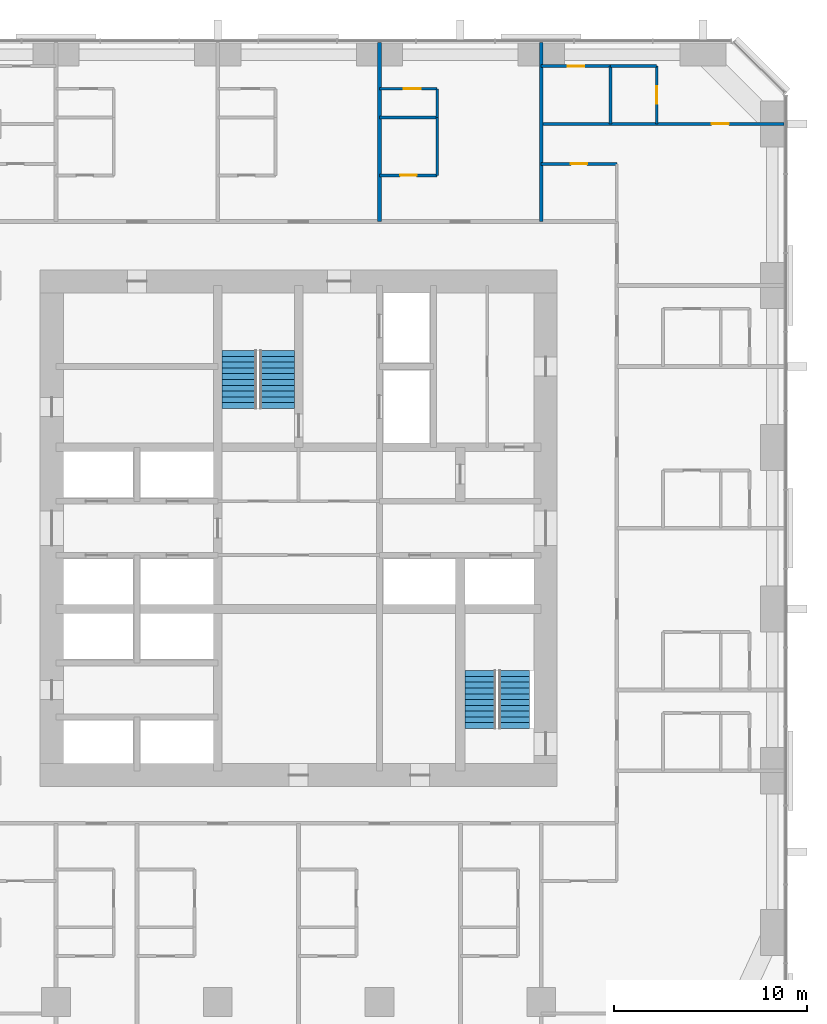
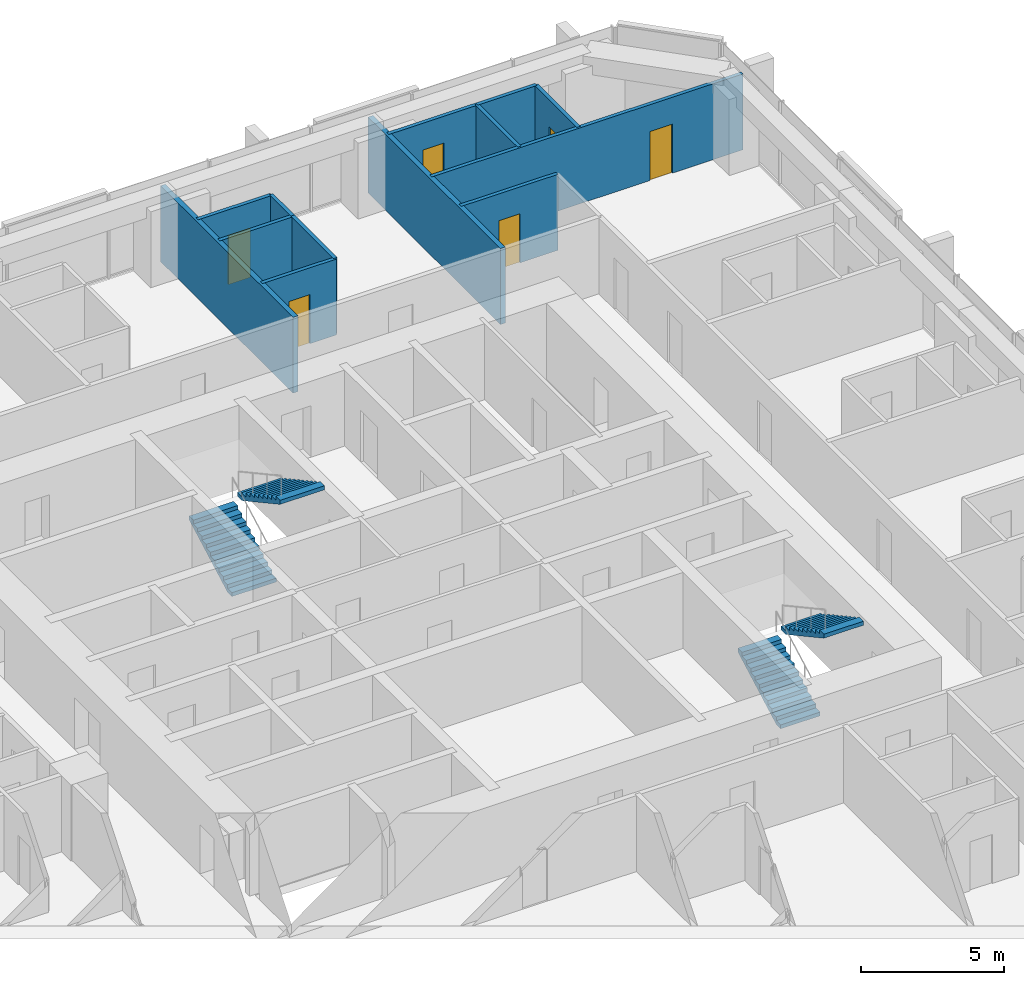
# One storey, part 13 of 14: 13 walls, 6 doors, 4 stair flights, 6 openings, 2 elements without a shape of their own.
"""IFC4 building model written with IfcOpenShell, lengths in metres."""

from ifc_helpers import new_model, si_unit, direction, frame, frame_2d, origin, place, context, subcontext, project, spatial, polyline, rectangle, outline, extrude, material, layer, layer_set, type_object, element, fill, aggregate, save


model = new_model("IFC4")

# Units and contexts
model_context = context("Model", 3, precision=1e-05, world=origin(), true_north=direction((0.0, 1.0)))
body_context = subcontext(model_context, "Body", "Model", "MODEL_VIEW")
ifc_project = project(units=[si_unit("LENGTHUNIT", "METRE"), si_unit("AREAUNIT", "SQUARE_METRE"), si_unit("VOLUMEUNIT", "CUBIC_METRE"), si_unit("PLANEANGLEUNIT", "RADIAN"), si_unit("MASSUNIT", "GRAM", prefix="KILO")], contexts=[model_context])

# Site, building, storey
site_placement = place(None, origin())
site = spatial("IfcSite", under=ifc_project, at=site_placement, CompositionType="ELEMENT")
building_placement = place(site_placement, origin())
building = spatial("IfcBuilding", under=site, at=building_placement, Name="Dunama Terrace Hotel", CompositionType="ELEMENT")
storey_placement = place(building_placement, frame((0.0, 0.0, 100.800048828125)))
storey = spatial("IfcBuildingStorey", under=building, at=storey_placement, Name="L25", CompositionType="ELEMENT", Elevation=100.800048828125)

# Wall
ifc_material_1 = material(Name="Gypsum board partition", Category="masonry")
ifc_layer_1 = layer(ifc_material_1, 0.14990234375)
ifc_layer_set_1 = layer_set([ifc_layer_1], Name="Bathroom partition 150")
wall_type_1 = type_object("IfcWallType", Name="Bathroom partition 150", PredefinedType="PARTITIONING", material=ifc_layer_set_1)
wall_1_placement = place(storey_placement, frame((36.60009765625, 47.72509765625, 0.0), z_axis=(0.0, 0.0, 1.0), x_axis=(0.0, 1.0, 0.0)))
element("IfcWall", 1, at=wall_1_placement, inside=storey, type_object=wall_type_1, Name="Bathroom partition 150 L25", PredefinedType="PARTITIONING", context=body_context, shape_type="SweptSolid", body=[
    extrude(rectangle(XDim=3.0, YDim=0.14990234375, at=frame_2d((1.5, 0.0))), origin(), (0.0, 0.0, 1.0), 3.25),
])

# Wall, opening, door
wall_2_placement = place(storey_placement, frame((33.60009765625, 47.72509765625, 0.0), z_axis=(0.0, 0.0, 1.0), x_axis=(1.0, 0.0, 0.0)))
wall_2 = element("IfcWall", 2, at=wall_2_placement, inside=storey, type_object=wall_type_1, Name="Bathroom partition 150 L25", PredefinedType="PARTITIONING", context=body_context, shape_type="SweptSolid", body=[
    extrude(rectangle(XDim=3.0, YDim=0.14990234375, at=frame_2d((1.5, 0.0))), origin(), (0.0, 0.0, 1.0), 3.25),
])
opening_1_placement = place(wall_2_placement, frame((1.074951171875, 0.0, 0.0)))
opening_1 = element("IfcOpeningElement", 3, at=opening_1_placement, cuts=wall_2, Name="Opening L25-27-042", PredefinedType="OPENING", context=body_context, shape_type="SweptSolid", body=[
    extrude(rectangle(XDim=0.85009765625, YDim=2.10009765625, at=frame_2d((0.425048828125, 1.050048828125))), frame((0.0, 0.0849609375, 0.0), z_axis=(0.0, -1.0, 0.0), x_axis=(1.0, 0.0, 0.0)), (0.0, 0.0, 1.0), 0.169921875),
])
ifc_material_2 = material(Name="Timber door with steel frame", Category="steel")
door_type_1 = type_object("IfcDoorType", Name="Bathroom door 850", OperationType="SINGLE_SWING_LEFT", PredefinedType="DOOR", material=ifc_material_2)
door_1_placement = place(opening_1_placement, origin())
door_1 = element("IfcDoor", 4, at=door_1_placement, inside=storey, type_object=door_type_1, Name="Door to en-suite bathroom L25-27-042, type D2", OperationType="SINGLE_SWING_LEFT", OverallHeight=2.10009765625, OverallWidth=0.85009765625, PredefinedType="DOOR", context=body_context, shape_type="SweptSolid", body=[
    extrude(rectangle(XDim=0.85009765625, YDim=2.10009765625, at=frame_2d((0.425048828125, 1.050048828125))), frame((0.0, 0.02490234375, 0.0), z_axis=(0.0, -1.0, 0.0), x_axis=(1.0, 0.0, 0.0)), (0.0, 0.0, 1.0), 0.050048828125),
])
fill(opening_1, door_1)

wall_3_placement = place(storey_placement, frame((42.0, 48.324951171875, 0.0), z_axis=(0.0, 0.0, 1.0), x_axis=(1.0, 0.0, 0.0)))
wall_3 = element("IfcWall", 5, at=wall_3_placement, inside=storey, type_object=wall_type_1, Name="Bathroom partition 150 L25", PredefinedType="PARTITIONING", context=body_context, shape_type="SweptSolid", body=[
    extrude(rectangle(XDim=3.925048828125, YDim=0.14990234375, at=frame_2d((1.96240234375, 0.0))), origin(), (0.0, 0.0, 1.0), 3.25),
])
opening_2_placement = place(wall_3_placement, frame((1.5380859375, 0.0, 0.0)))
opening_2 = element("IfcOpeningElement", 6, at=opening_2_placement, cuts=wall_3, Name="Opening L25-27-070", PredefinedType="OPENING", context=body_context, shape_type="SweptSolid", body=[
    extrude(rectangle(XDim=0.85009765625, YDim=2.10009765625, at=frame_2d((0.425048828125, 1.050048828125))), frame((0.0, 0.0849609375, 0.0), z_axis=(0.0, -1.0, 0.0), x_axis=(1.0, 0.0, 0.0)), (0.0, 0.0, 1.0), 0.169921875),
])
door_2_placement = place(opening_2_placement, frame((0.85009765625, 0.0, 0.0), z_axis=(0.0, 0.0, 1.0), x_axis=(-1.0, 0.0, 0.0)))
door_2 = element("IfcDoor", 7, at=door_2_placement, inside=storey, type_object=door_type_1, Name="Door to powder room L25-27-070, type D2", OperationType="SINGLE_SWING_RIGHT", OverallHeight=2.10009765625, OverallWidth=0.85009765625, PredefinedType="DOOR", context=body_context, shape_type="SweptSolid", body=[
    extrude(rectangle(XDim=0.85009765625, YDim=2.10009765625, at=frame_2d((0.425048828125, 1.050048828125))), frame((0.0, 0.025146484375, 0.0), z_axis=(0.0, -1.0, 0.0), x_axis=(1.0, 0.0, 0.0)), (0.0, 0.0, 1.0), 0.050048828125),
])
fill(opening_2, door_2)

wall_4_placement = place(storey_placement, frame((42.0, 53.39990234375, 0.0), z_axis=(0.0, 0.0, 1.0), x_axis=(1.0, 0.0, 0.0)))
wall_4 = element("IfcWall", 8, at=wall_4_placement, inside=storey, type_object=wall_type_1, Name="Bathroom partition 150 L25", PredefinedType="PARTITIONING", context=body_context, shape_type="SweptSolid", body=[
    extrude(rectangle(XDim=3.60009765625, YDim=0.14990234375, at=frame_2d((1.800048828125, 0.0))), origin(), (0.0, 0.0, 1.0), 3.25),
])
opening_3_placement = place(wall_4_placement, frame((1.375, 0.0, 0.0)))
opening_3 = element("IfcOpeningElement", 9, at=opening_3_placement, cuts=wall_4, Name="Opening L25-27-072", PredefinedType="OPENING", context=body_context, shape_type="SweptSolid", body=[
    extrude(rectangle(XDim=0.85009765625, YDim=2.10009765625, at=frame_2d((0.425048828125, 1.050048828125))), frame((0.0, 0.0849609375, 0.0), z_axis=(0.0, -1.0, 0.0), x_axis=(1.0, 0.0, 0.0)), (0.0, 0.0, 1.0), 0.169921875),
])
door_3_placement = place(opening_3_placement, frame((0.85009765625, 0.0, 0.0), z_axis=(0.0, 0.0, 1.0), x_axis=(-1.0, 0.0, 0.0)))
door_3 = element("IfcDoor", 10, at=door_3_placement, inside=storey, type_object=door_type_1, Name="Door to en-suite bathroom L25-27-072, type D2", OperationType="SINGLE_SWING_RIGHT", OverallHeight=2.10009765625, OverallWidth=0.85009765625, PredefinedType="DOOR", context=body_context, shape_type="SweptSolid", body=[
    extrude(rectangle(XDim=0.85009765625, YDim=2.10009765625, at=frame_2d((0.425048828125, 1.050048828125))), frame((0.0, 0.025146484375, 0.0), z_axis=(0.0, -1.0, 0.0), x_axis=(1.0, 0.0, 0.0)), (0.0, 0.0, 1.0), 0.050048828125),
])
fill(opening_3, door_3)

# Walls
ifc_material_3 = material(Name="Concrete blockwork", Category="masonry")
ifc_layer_2 = layer(ifc_material_3, 0.199951171875)
ifc_layer_set_2 = layer_set([ifc_layer_2], Name="Party wall 200")
wall_type_2 = type_object("IfcWallType", Name="Party wall 200", PredefinedType="PARTITIONING", material=ifc_layer_set_2)
for number, where, z_axis, x_axis, name in (
    (11, (33.60009765625, 45.324951171875, 0.0), (0.0, 0.0, 1.0), (0.0, 1.0, 0.0), "Party wall 200 L25"),
    (12, (42.0, 45.324951171875, 0.0), (0.0, 0.0, 1.0), (0.0, 1.0, 0.0), "Party wall 200 L25"),
):
    element("IfcWall", number, at=place(storey_placement, frame(where, z_axis=z_axis, x_axis=x_axis)), inside=storey, type_object=wall_type_2, Name=name, PredefinedType="PARTITIONING", context=body_context, shape_type="SweptSolid", body=[
        extrude(rectangle(XDim=9.29296875, YDim=0.199951171875, at=frame_2d((4.646484375, 0.0))), origin(), (0.0, 0.0, 1.0), 3.25),
    ])
ifc_material_4 = material(Name="Gypsum board partition", Category="masonry")
ifc_layer_3 = layer(ifc_material_4, 0.14990234375)
ifc_layer_set_3 = layer_set([ifc_layer_3], Name="Room partition 150")
wall_type_3 = type_object("IfcWallType", Name="Room partition 150", PredefinedType="PARTITIONING", material=ifc_layer_set_3)
wall_5_placement = place(storey_placement, frame((36.60009765625, 50.72509765625, 0.0), z_axis=(0.0, 0.0, 1.0), x_axis=(0.0, 1.0, 0.0)))
element("IfcWall", 13, at=wall_5_placement, inside=storey, type_object=wall_type_3, Name="Room partition 150 L25", PredefinedType="PARTITIONING", context=body_context, shape_type="SweptSolid", body=[
    extrude(rectangle(XDim=1.5, YDim=0.14990234375, at=frame_2d((0.75, 0.0))), origin(), (0.0, 0.0, 1.0), 3.25),
])
wall_6_placement = place(storey_placement, frame((45.60009765625, 50.39990234375, 0.0), z_axis=(0.0, 0.0, 1.0), x_axis=(0.0, 1.0, 0.0)))
element("IfcWall", 14, at=wall_6_placement, inside=storey, type_object=wall_type_3, Name="Room partition 150 L25", PredefinedType="PARTITIONING", context=body_context, shape_type="SweptSolid", body=[
    extrude(rectangle(XDim=3.0, YDim=0.14990234375, at=frame_2d((1.5, 0.0))), origin(), (0.0, 0.0, 1.0), 3.25),
])

# Wall, opening, door
wall_7_placement = place(storey_placement, frame((48.0, 50.39990234375, 0.0), z_axis=(0.0, 0.0, 1.0), x_axis=(0.0, 1.0, 0.0)))
wall_7 = element("IfcWall", 15, at=wall_7_placement, inside=storey, type_object=wall_type_3, Name="Room partition 150 L25", PredefinedType="PARTITIONING", context=body_context, shape_type="SweptSolid", body=[
    extrude(rectangle(XDim=3.0, YDim=0.14990234375, at=frame_2d((1.5, 0.0))), origin(), (0.0, 0.0, 1.0), 3.25),
])
opening_4_placement = place(wall_7_placement, frame((1.050048828125, 0.0, 0.0)))
opening_4 = element("IfcOpeningElement", 16, at=opening_4_placement, cuts=wall_7, Name="Opening L25-27-073", PredefinedType="OPENING", context=body_context, shape_type="SweptSolid", body=[
    extrude(rectangle(XDim=0.89990234375, YDim=2.10009765625, at=frame_2d((0.449951171875, 1.050048828125))), frame((0.0, 0.0849609375, 0.0), z_axis=(0.0, -1.0, 0.0), x_axis=(1.0, 0.0, 0.0)), (0.0, 0.0, 1.0), 0.169921875),
])
ifc_material_5 = material(Name="Timber door with steel frame", Category="steel")
door_type_2 = type_object("IfcDoorType", Name="Suite internal door 900", OperationType="SINGLE_SWING_LEFT", PredefinedType="DOOR", material=ifc_material_5)
door_4_placement = place(opening_4_placement, origin())
door_4 = element("IfcDoor", 17, at=door_4_placement, inside=storey, type_object=door_type_2, Name="Door to dressing room L25-27-073, type D16", OperationType="SINGLE_SWING_LEFT", OverallHeight=2.10009765625, OverallWidth=0.89990234375, PredefinedType="DOOR", context=body_context, shape_type="SweptSolid", body=[
    extrude(rectangle(XDim=0.89990234375, YDim=2.10009765625, at=frame_2d((0.449951171875, 1.050048828125))), frame((0.0, 0.02490234375, 0.0), z_axis=(0.0, -1.0, 0.0), x_axis=(1.0, 0.0, 0.0)), (0.0, 0.0, 1.0), 0.050048828125),
])
fill(opening_4, door_4)

wall_8_placement = place(storey_placement, frame((42.0, 50.39990234375, 0.0), z_axis=(0.0, 0.0, 1.0), x_axis=(1.0, 0.0, 0.0)))
wall_8 = element("IfcWall", 18, at=wall_8_placement, inside=storey, type_object=wall_type_3, Name="Room partition 150 L25", PredefinedType="PARTITIONING", context=body_context, shape_type="SweptSolid", body=[
    extrude(rectangle(XDim=12.617919921875, YDim=0.14990234375, at=frame_2d((6.30908203125, 0.0))), origin(), (0.0, 0.0, 1.0), 3.25),
])
opening_5_placement = place(wall_8_placement, frame((8.85009765625, 0.0, 0.0)))
opening_5 = element("IfcOpeningElement", 19, at=opening_5_placement, cuts=wall_8, Name="Opening L25-27-071", PredefinedType="OPENING", context=body_context, shape_type="SweptSolid", body=[
    extrude(rectangle(XDim=0.89990234375, YDim=2.10009765625, at=frame_2d((0.449951171875, 1.050048828125))), frame((0.0, 0.0849609375, 0.0), z_axis=(0.0, -1.0, 0.0), x_axis=(1.0, 0.0, 0.0)), (0.0, 0.0, 1.0), 0.169921875),
])
door_5_placement = place(opening_5_placement, origin())
door_5 = element("IfcDoor", 20, at=door_5_placement, inside=storey, type_object=door_type_2, Name="Door to corner suite bedroom L25-27-071, type D16", OperationType="SINGLE_SWING_RIGHT", OverallHeight=2.10009765625, OverallWidth=0.89990234375, PredefinedType="DOOR", context=body_context, shape_type="SweptSolid", body=[
    extrude(rectangle(XDim=0.89990234375, YDim=2.10009765625, at=frame_2d((0.449951171875, 1.050048828125))), frame((0.0, 0.02490234375, 0.0), z_axis=(0.0, -1.0, 0.0), x_axis=(1.0, 0.0, 0.0)), (0.0, 0.0, 1.0), 0.050048828125),
])
fill(opening_5, door_5)

# Wall
wall_9_placement = place(storey_placement, frame((33.60009765625, 50.72509765625, 0.0), z_axis=(0.0, 0.0, 1.0), x_axis=(1.0, 0.0, 0.0)))
element("IfcWall", 21, at=wall_9_placement, inside=storey, type_object=wall_type_3, Name="Room partition 150 L25", PredefinedType="PARTITIONING", context=body_context, shape_type="SweptSolid", body=[
    extrude(rectangle(XDim=3.0, YDim=0.14990234375, at=frame_2d((1.5, 0.0))), origin(), (0.0, 0.0, 1.0), 3.25),
])

# Wall, opening, door
wall_10_placement = place(storey_placement, frame((33.60009765625, 52.22509765625, 0.0), z_axis=(0.0, 0.0, 1.0), x_axis=(1.0, 0.0, 0.0)))
wall_10 = element("IfcWall", 22, at=wall_10_placement, inside=storey, type_object=wall_type_3, Name="Room partition 150 L25", PredefinedType="PARTITIONING", context=body_context, shape_type="SweptSolid", body=[
    extrude(rectangle(XDim=3.0, YDim=0.14990234375, at=frame_2d((1.5, 0.0))), origin(), (0.0, 0.0, 1.0), 3.25),
])
opening_6_placement = place(wall_10_placement, frame((1.25, 0.0, 0.0)))
opening_6 = element("IfcOpeningElement", 23, at=opening_6_placement, cuts=wall_10, Name="Opening L25-27-043", PredefinedType="OPENING", context=body_context, shape_type="SweptSolid", body=[
    extrude(rectangle(XDim=0.89990234375, YDim=2.10009765625, at=frame_2d((0.449951171875, 1.050048828125))), frame((0.0, 0.0849609375, 0.0), z_axis=(0.0, -1.0, 0.0), x_axis=(1.0, 0.0, 0.0)), (0.0, 0.0, 1.0), 0.169921875),
])
door_6_placement = place(opening_6_placement, frame((0.89990234375, 0.0, 0.0), z_axis=(0.0, 0.0, 1.0), x_axis=(-1.0, 0.0, 0.0)))
door_6 = element("IfcDoor", 24, at=door_6_placement, inside=storey, type_object=door_type_2, Name="Door to walk-in wardrobe L25-27-043, type D16", OperationType="SINGLE_SWING_RIGHT", OverallHeight=2.10009765625, OverallWidth=0.89990234375, PredefinedType="DOOR", context=body_context, shape_type="SweptSolid", body=[
    extrude(rectangle(XDim=0.89990234375, YDim=2.10009765625, at=frame_2d((0.449951171875, 1.050048828125))), frame((0.0, 0.025146484375, 0.0), z_axis=(0.0, -1.0, 0.0), x_axis=(1.0, 0.0, 0.0)), (0.0, 0.0, 1.0), 0.050048828125),
])
fill(opening_6, door_6)

# Wall
wall_11_placement = place(storey_placement, frame((45.60009765625, 53.39990234375, 0.0), z_axis=(0.0, 0.0, 1.0), x_axis=(1.0, 0.0, 0.0)))
element("IfcWall", 25, at=wall_11_placement, inside=storey, type_object=wall_type_3, Name="Room partition 150 L25", PredefinedType="PARTITIONING", context=body_context, shape_type="SweptSolid", body=[
    extrude(rectangle(XDim=2.39990234375, YDim=0.14990234375, at=frame_2d((1.199951171875, 0.0))), origin(), (0.0, 0.0, 1.0), 3.25),
])

# Stair, stair flights
ifc_material_6 = material(Name="Concrete C40/50", Category="concrete")
stair_type_1 = type_object("IfcStairType", Name="Stair ST1-3600-1800", PredefinedType="HALF_TURN_STAIR", material=ifc_material_6)
stair_1_placement = place(storey_placement, origin())
stair_1 = element("IfcStair", 26, at=stair_1_placement, inside=storey, type_object=stair_type_1, Name="Stair ST1 L25", PredefinedType="HALF_TURN_STAIR")
ifc_material_7 = material(Name="Concrete C40/50", Category="concrete")
stair_flight_type_1 = type_object("IfcStairFlightType", Name="Stair flight ST1-3600-1800", PredefinedType="STRAIGHT", material=ifc_material_7)
stair_flight_1_placement = place(storey_placement, frame((26.324951171875, 35.625, 0.0), z_axis=(0.0, 0.0, 1.0), x_axis=(0.0, 1.0, 0.0)))
stair_flight_1 = element("IfcStairFlight", 27, at=stair_flight_1_placement, type_object=stair_flight_type_1, Name="ST1 flight 1", NumberOfRisers=11, NumberOfTreads=10, PredefinedType="STRAIGHT", RiserHeight=0.163636364, TreadLength=0.3, context=body_context, shape_type="SweptSolid", body=[
    extrude(outline(polyline([(0.0, 0.0), (0.0, 0.16357421875), (0.300048828125, 0.16357421875), (0.300048828125, 0.327392578125), (0.60009765625, 0.327392578125), (0.60009765625, 0.490966796875), (0.89990234375, 0.490966796875), (0.89990234375, 0.654541015625), (1.199951171875, 0.654541015625), (1.199951171875, 0.818115234375), (1.5, 0.818115234375), (1.5, 0.98193359375), (1.800048828125, 0.98193359375), (1.800048828125, 1.1455078125), (2.10009765625, 1.1455078125), (2.10009765625, 1.30908203125), (2.39990234375, 1.30908203125), (2.39990234375, 1.47265625), (2.699951171875, 1.47265625), (2.699951171875, 1.636474609375), (3.0, 1.636474609375), (3.0, 1.800048828125), (3.0, 1.465576171875), (0.31298828125, 0.0), (0.0, 0.0)])), frame((0.0, 0.89990234375, 0.0), z_axis=(0.0, -1.0, 0.0), x_axis=(1.0, 0.0, 0.0)), (0.0, 0.0, 1.0), 1.800048828125),
])
stair_flight_2_placement = place(storey_placement, frame((28.27490234375, 38.625, 1.800048828125), z_axis=(0.0, 0.0, 1.0), x_axis=(0.0, -1.0, 0.0)))
stair_flight_2 = element("IfcStairFlight", 28, at=stair_flight_2_placement, type_object=stair_flight_type_1, Name="ST1 flight 2", NumberOfRisers=11, NumberOfTreads=10, PredefinedType="STRAIGHT", RiserHeight=0.163636364, TreadLength=0.3, context=body_context, shape_type="SweptSolid", body=[
    extrude(outline(polyline([(0.0, 0.0), (0.0, 0.16357421875), (0.300048828125, 0.16357421875), (0.300048828125, 0.327392578125), (0.60009765625, 0.327392578125), (0.60009765625, 0.490966796875), (0.89990234375, 0.490966796875), (0.89990234375, 0.654541015625), (1.199951171875, 0.654541015625), (1.199951171875, 0.818115234375), (1.5, 0.818115234375), (1.5, 0.98193359375), (1.800048828125, 0.98193359375), (1.800048828125, 1.1455078125), (2.10009765625, 1.1455078125), (2.10009765625, 1.30908203125), (2.39990234375, 1.30908203125), (2.39990234375, 1.47265625), (2.699951171875, 1.47265625), (2.699951171875, 1.636474609375), (3.0, 1.636474609375), (3.0, 1.800048828125), (3.0, 1.465576171875), (0.31298828125, 0.0), (0.0, 0.0)])), frame((0.0, 0.89990234375, 0.0), z_axis=(0.0, -1.0, 0.0), x_axis=(1.0, 0.0, 0.0)), (0.0, 0.0, 1.0), 1.800048828125),
])
aggregate(stair_1, [stair_flight_1, stair_flight_2])

ifc_material_8 = material(Name="Concrete C40/50", Category="concrete")
stair_type_2 = type_object("IfcStairType", Name="Stair ST2-3600-1600", PredefinedType="HALF_TURN_STAIR", material=ifc_material_8)
stair_2_placement = place(storey_placement, origin())
stair_2 = element("IfcStair", 29, at=stair_2_placement, inside=storey, type_object=stair_type_2, Name="Stair ST2 L25", PredefinedType="HALF_TURN_STAIR")
ifc_material_9 = material(Name="Concrete C40/50", Category="concrete")
stair_flight_type_2 = type_object("IfcStairFlightType", Name="Stair flight ST2-3600-1600", PredefinedType="STRAIGHT", material=ifc_material_9)
stair_flight_3_placement = place(storey_placement, frame((38.85009765625, 19.0, 0.0), z_axis=(0.0, 0.0, 1.0), x_axis=(0.0, 1.0, 0.0)))
stair_flight_3 = element("IfcStairFlight", 30, at=stair_flight_3_placement, type_object=stair_flight_type_2, Name="ST2 flight 1", NumberOfRisers=11, NumberOfTreads=10, PredefinedType="STRAIGHT", RiserHeight=0.163636364, TreadLength=0.3, context=body_context, shape_type="SweptSolid", body=[
    extrude(outline(polyline([(0.0, 0.0), (0.0, 0.16357421875), (0.300048828125, 0.16357421875), (0.300048828125, 0.327392578125), (0.60009765625, 0.327392578125), (0.60009765625, 0.490966796875), (0.89990234375, 0.490966796875), (0.89990234375, 0.654541015625), (1.199951171875, 0.654541015625), (1.199951171875, 0.818115234375), (1.5, 0.818115234375), (1.5, 0.98193359375), (1.800048828125, 0.98193359375), (1.800048828125, 1.1455078125), (2.10009765625, 1.1455078125), (2.10009765625, 1.30908203125), (2.39990234375, 1.30908203125), (2.39990234375, 1.47265625), (2.699951171875, 1.47265625), (2.699951171875, 1.636474609375), (3.0, 1.636474609375), (3.0, 1.800048828125), (3.0, 1.465576171875), (0.31298828125, 0.0), (0.0, 0.0)])), frame((0.0, 0.800048828125, 0.0), z_axis=(0.0, -1.0, 0.0), x_axis=(1.0, 0.0, 0.0)), (0.0, 0.0, 1.0), 1.60009765625),
])
stair_flight_4_placement = place(storey_placement, frame((40.60009765625, 22.0, 1.800048828125), z_axis=(0.0, 0.0, 1.0), x_axis=(0.0, -1.0, 0.0)))
stair_flight_4 = element("IfcStairFlight", 31, at=stair_flight_4_placement, type_object=stair_flight_type_2, Name="ST2 flight 2", NumberOfRisers=11, NumberOfTreads=10, PredefinedType="STRAIGHT", RiserHeight=0.163636364, TreadLength=0.3, context=body_context, shape_type="SweptSolid", body=[
    extrude(outline(polyline([(0.0, 0.0), (0.0, 0.16357421875), (0.300048828125, 0.16357421875), (0.300048828125, 0.327392578125), (0.60009765625, 0.327392578125), (0.60009765625, 0.490966796875), (0.89990234375, 0.490966796875), (0.89990234375, 0.654541015625), (1.199951171875, 0.654541015625), (1.199951171875, 0.818115234375), (1.5, 0.818115234375), (1.5, 0.98193359375), (1.800048828125, 0.98193359375), (1.800048828125, 1.1455078125), (2.10009765625, 1.1455078125), (2.10009765625, 1.30908203125), (2.39990234375, 1.30908203125), (2.39990234375, 1.47265625), (2.699951171875, 1.47265625), (2.699951171875, 1.636474609375), (3.0, 1.636474609375), (3.0, 1.800048828125), (3.0, 1.465576171875), (0.31298828125, 0.0), (0.0, 0.0)])), frame((0.0, 0.800048828125, 0.0), z_axis=(0.0, -1.0, 0.0), x_axis=(1.0, 0.0, 0.0)), (0.0, 0.0, 1.0), 1.60009765625),
])
aggregate(stair_2, [stair_flight_3, stair_flight_4])

save(model, "model.ifc")
